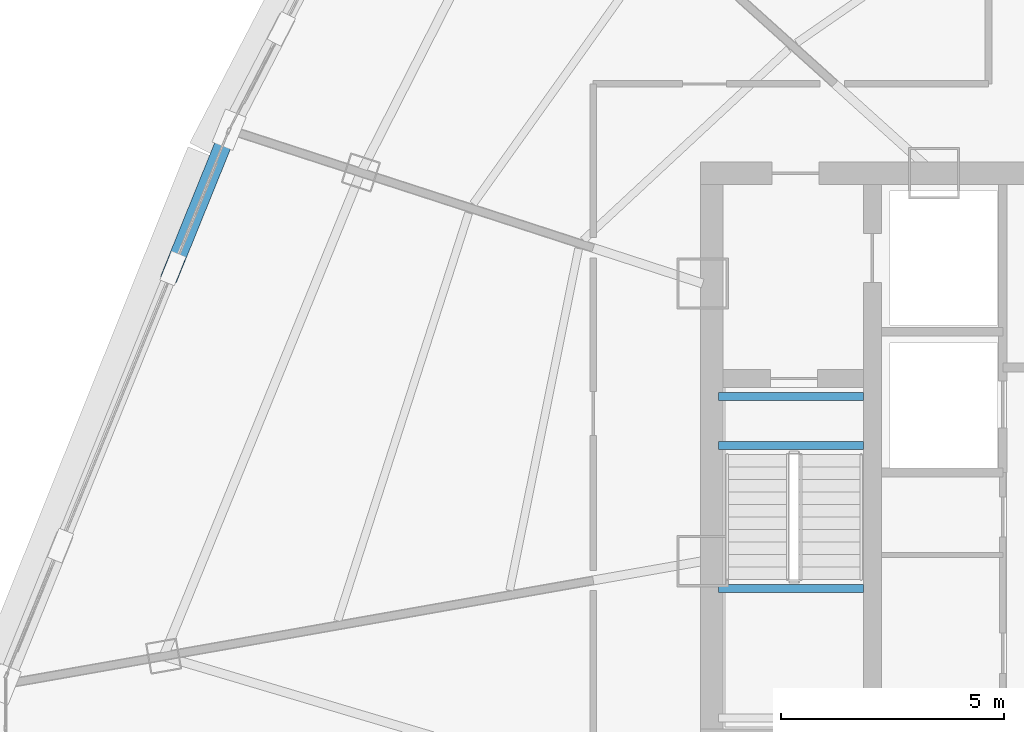
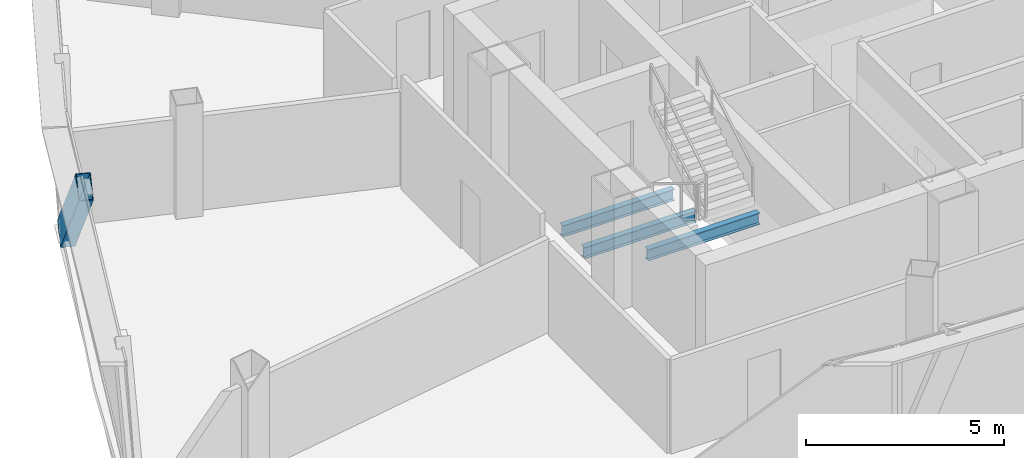
# One storey, part 6 of 28: 3 beams, 1 member.
"""IFC4 building model written with IfcOpenShell, lengths in metres."""

from ifc_helpers import new_model, si_unit, direction, frame, origin, origin_2d, place, context, subcontext, project, spatial, hollow_rectangle, i_section, extrude, source, transform, mapped, material, material_profile, profile_set, type_object, element, save


model = new_model("IFC4")

# Units and contexts
model_context = context("Model", 3, precision=1e-05, world=origin(), true_north=direction((0.0, 1.0)))
body_context = subcontext(model_context, "Body", "Model", "MODEL_VIEW")
ifc_project = project(units=[si_unit("LENGTHUNIT", "METRE"), si_unit("AREAUNIT", "SQUARE_METRE"), si_unit("VOLUMEUNIT", "CUBIC_METRE"), si_unit("PLANEANGLEUNIT", "RADIAN"), si_unit("MASSUNIT", "GRAM", prefix="KILO"), si_unit("THERMODYNAMICTEMPERATUREUNIT", "KELVIN"), si_unit("POWERUNIT", "WATT")], contexts=[model_context])

# Site, building, storey
site_placement = place(None, origin())
site = spatial("IfcSite", under=ifc_project, at=site_placement, CompositionType="ELEMENT")
building_placement = place(site_placement, origin())
building = spatial("IfcBuilding", under=site, at=building_placement, Name="Yunzhuo Pagoda Commons", CompositionType="ELEMENT")
storey_placement = place(building_placement, frame((0.0, 0.0, 336.760009765625)))
storey = spatial("IfcBuildingStorey", under=building, at=storey_placement, Name="L84", CompositionType="ELEMENT", Elevation=336.760009765625)

# Beams
ifc_material = material(Name="Structural steel Q355B", Category="steel")
ifc_material_profile_1 = material_profile(ifc_material, i_section(OverallWidth=0.175048828125, OverallDepth=0.35009765625, WebThickness=0.007080078125, FlangeThickness=0.010986328125, at=origin_2d()), Name="Structural steel Q355B")
ifc_profile_set_1 = profile_set([ifc_material_profile_1], Name="Structural steel Q355B")
beam_type = type_object("IfcBeamType", Name="B-JS2 Joist HN 350x175x7x11", PredefinedType="JOIST", material=ifc_profile_set_1)
shared_shape_1 = source(origin(), body_context, "Body", "SweptSolid", [
    extrude(i_section(OverallWidth=0.175048828125, OverallDepth=0.35009765625, WebThickness=0.007080078125, FlangeThickness=0.010986328125, at=origin_2d()), origin(), (0.0, 0.0, 1.0), 3.25),
])
for number, where, z_axis, x_axis, name in (
    (1, (35.949951171875, 30.89990234375, 1.5), (1.0, 0.0, 0.0), (0.0, 1.0, 0.0), "L84 ST1 landing support beam 90B"),
    (2, (35.949951171875, 34.10009765625, -0.375), (1.0, 0.0, 0.0), (0.0, 1.0, 0.0), "L84 ST1 landing support beam 188A"),
    (3, (35.949951171875, 35.199951171875, -0.375), (1.0, 0.0, 0.0), (0.0, 1.0, 0.0), "L84 ST1 landing support beam 188B"),
):
    element("IfcBeam", number, at=place(storey_placement, frame(where, z_axis=z_axis, x_axis=x_axis)), inside=storey, type_object=beam_type, Name=name, PredefinedType="JOIST", context=body_context, shape_type="MappedRepresentation", body=[
        mapped(shared_shape_1, transform((0.0, 0.0, 0.0), scale=1.0)),
    ])

# Member
ifc_material_profile_2 = material_profile(ifc_material, hollow_rectangle(XDim=0.3798828125, YDim=0.719970703125, WallThickness=0.02001953125, at=origin_2d()), Name="Structural steel Q355B")
ifc_profile_set_2 = profile_set([ifc_material_profile_2], Name="Structural steel Q355B")
member_type = type_object("IfcMemberType", Name="M-DL3 Brace BOX 720x380x20", PredefinedType="BRACE", material=ifc_profile_set_2)
shared_shape_2 = source(origin(), body_context, "Body", "SweptSolid", [
    extrude(hollow_rectangle(XDim=0.3798828125, YDim=0.719970703125, WallThickness=0.02001953125, at=origin_2d()), origin(), (0.0, 0.0, 1.0), 5.0283203125),
])
member_placement = place(storey_placement, frame((24.9970703125, 41.174072265625, -0.260009765625), z_axis=(-0.250335334851, -0.617390247859, 0.745762362937), x_axis=(0.92671732093, -0.375759240855, 0.0)))
element("IfcMember", 4, at=member_placement, inside=storey, type_object=member_type, Name="L84 facade diamond brace F3.3L", PredefinedType="BRACE", context=body_context, shape_type="MappedRepresentation", body=[
    mapped(shared_shape_2, transform((0.0, 0.0, 0.0), scale=1.0)),
])

save(model, "model.ifc")
